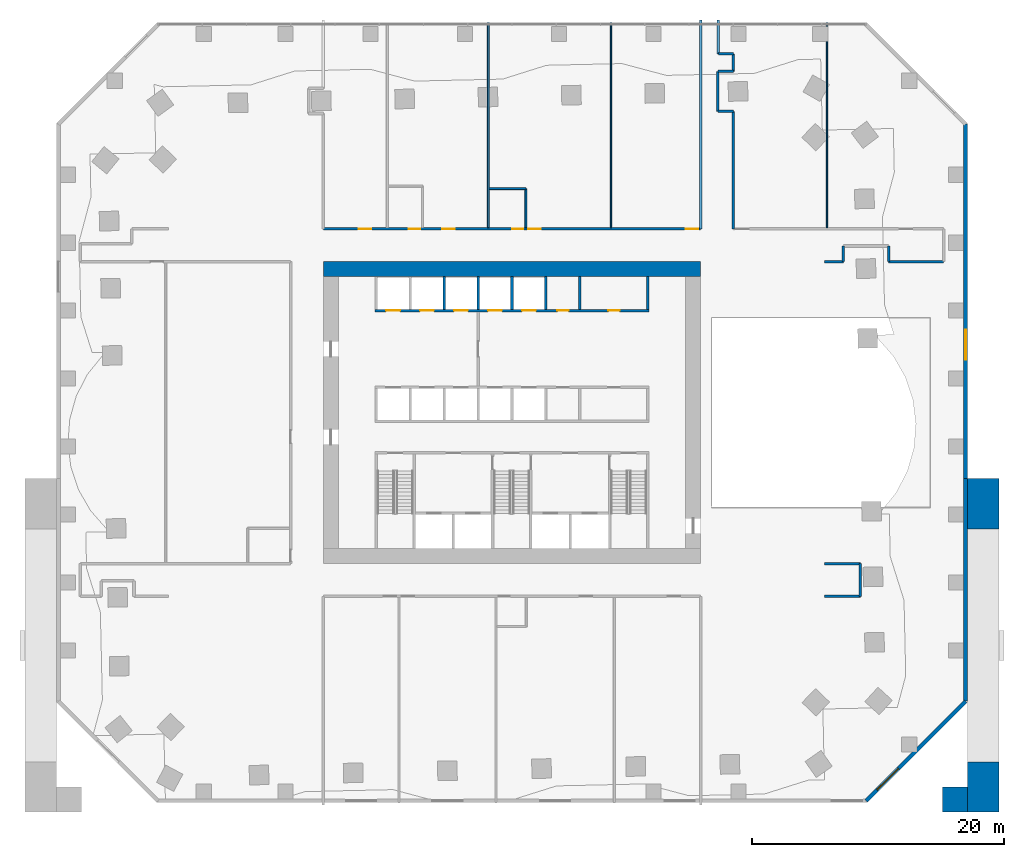
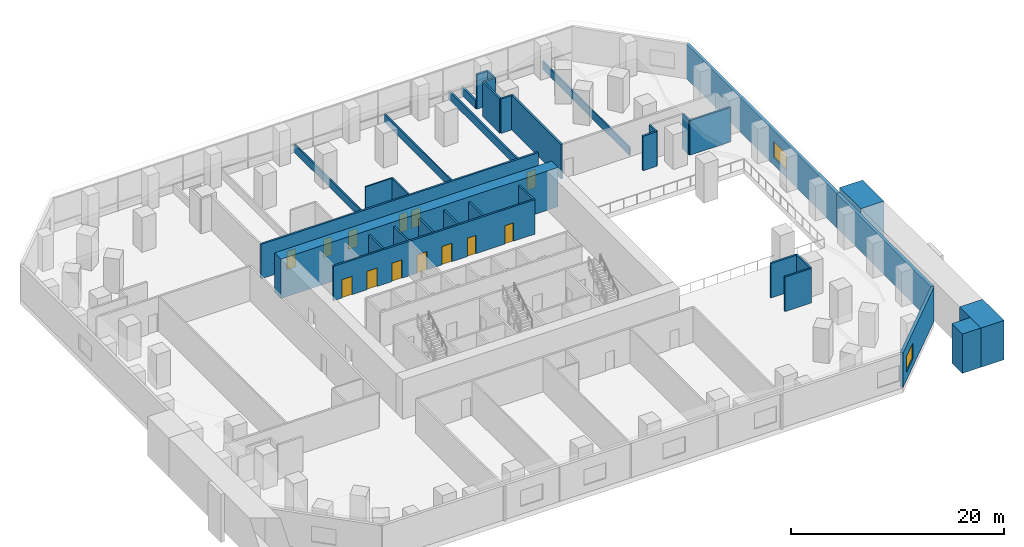
# One storey, part 8 of 12: 35 walls, 13 doors, 2 windows, 15 openings.
"""IFC4 building model written with IfcOpenShell, lengths in metres."""

from ifc_helpers import new_model, si_unit, direction, frame, frame_2d, origin, place, context, subcontext, project, spatial, rectangle, extrude, material, layer, layer_set, type_object, element, fill, save


model = new_model("IFC4")

# Units and contexts
model_context = context("Model", 3, precision=1e-05, world=origin(), true_north=direction((0.0, 1.0)))
body_context = subcontext(model_context, "Body", "Model", "MODEL_VIEW")
ifc_project = project(units=[si_unit("LENGTHUNIT", "METRE"), si_unit("AREAUNIT", "SQUARE_METRE"), si_unit("VOLUMEUNIT", "CUBIC_METRE"), si_unit("PLANEANGLEUNIT", "RADIAN"), si_unit("MASSUNIT", "GRAM", prefix="KILO")], contexts=[model_context])

# Site, building, storey
site_placement = place(None, origin())
site = spatial("IfcSite", under=ifc_project, at=site_placement, CompositionType="ELEMENT")
building_placement = place(site_placement, origin())
building = spatial("IfcBuilding", under=site, at=building_placement, Name="Mangrove Gate Tower", CompositionType="ELEMENT")
storey_placement = place(building_placement, frame((0.0, 0.0, 25.0)))
storey = spatial("IfcBuildingStorey", under=building, at=storey_placement, Name="L05", CompositionType="ELEMENT", Elevation=25.0)

# Walls
ifc_material_1 = material(Name="Concrete C32/40", Category="concrete")
ifc_layer_1 = layer(ifc_material_1, 0.199951171875)
ifc_layer_set_1 = layer_set([ifc_layer_1], Name="Core room wall 200 C32/40")
wall_type_1 = type_object("IfcWallType", Name="Core room wall 200 C32/40", PredefinedType="STANDARD", material=ifc_layer_set_1)
for number, where, z_axis, x_axis, name in (
    (1, (5.39990234375, 8.199951171875, 0.0), (0.0, 0.0, 1.0), (0.0, 1.0, 0.0), "WALL-L05-CORE-33"),
    (2, (10.800048828125, 8.199951171875, 0.0), (0.0, 0.0, 1.0), (0.0, 1.0, 0.0), "WALL-L05-CORE-34"),
):
    element("IfcWall", number, at=place(storey_placement, frame(where, z_axis=z_axis, x_axis=x_axis)), inside=storey, type_object=wall_type_1, Name=name, PredefinedType="STANDARD", context=body_context, shape_type="SweptSolid", body=[
        extrude(rectangle(XDim=2.60009765625, YDim=0.199951171875, at=frame_2d((1.300048828125, 0.0))), origin(), (0.0, 0.0, 1.0), 3.949951171875),
    ])

# Wall, openings, doors
ifc_material_2 = material(Name="Concrete C70/85", Category="concrete")
ifc_layer_2 = layer(ifc_material_2, 0.199951171875)
ifc_layer_set_2 = layer_set([ifc_layer_2], Name="Core shaft wall 200 C70/85")
wall_type_2 = type_object("IfcWallType", Name="Core shaft wall 200 C70/85", PredefinedType="SHEAR", material=ifc_layer_set_2)
wall_1_placement = place(storey_placement, frame((-10.89990234375, 8.10009765625, 0.0), z_axis=(0.0, 0.0, 1.0), x_axis=(1.0, 0.0, 0.0)))
wall_1 = element("IfcWall", 3, at=wall_1_placement, inside=storey, type_object=wall_type_2, Name="WALL-L05-CORE-8", PredefinedType="SHEAR", context=body_context, shape_type="SweptSolid", body=[
    extrude(rectangle(XDim=21.7998046875, YDim=0.199951171875, at=frame_2d((10.89990234375, 0.0))), origin(), (0.0, 0.0, 1.0), 3.949951171875),
])
opening_1_placement = place(wall_1_placement, frame((0.89990234375, 0.0, 0.0)))
opening_1 = element("IfcOpeningElement", 4, at=opening_1_placement, cuts=wall_1, Name="Opening LD", PredefinedType="OPENING", context=body_context, shape_type="SweptSolid", body=[
    extrude(rectangle(XDim=1.10009765625, YDim=2.10009765625, at=frame_2d((0.550048828125, 1.050048828125))), frame((0.0, 0.10986328125, 0.0), z_axis=(0.0, -1.0, 0.0), x_axis=(1.0, 0.0, 0.0)), (0.0, 0.0, 1.0), 0.219970703125),
])
opening_2_placement = place(wall_1_placement, frame((3.60009765625, 0.0, 0.0)))
opening_2 = element("IfcOpeningElement", 5, at=opening_2_placement, cuts=wall_1, Name="Opening LD", PredefinedType="OPENING", context=body_context, shape_type="SweptSolid", body=[
    extrude(rectangle(XDim=1.10009765625, YDim=2.10009765625, at=frame_2d((0.550048828125, 1.050048828125))), frame((0.0, 0.10986328125, 0.0), z_axis=(0.0, -1.0, 0.0), x_axis=(1.0, 0.0, 0.0)), (0.0, 0.0, 1.0), 0.219970703125),
])
opening_3_placement = place(wall_1_placement, frame((6.300048828125, 0.0, 0.0)))
opening_3 = element("IfcOpeningElement", 6, at=opening_3_placement, cuts=wall_1, Name="Opening LD", PredefinedType="OPENING", context=body_context, shape_type="SweptSolid", body=[
    extrude(rectangle(XDim=1.10009765625, YDim=2.10009765625, at=frame_2d((0.550048828125, 1.050048828125))), frame((0.0, 0.10986328125, 0.0), z_axis=(0.0, -1.0, 0.0), x_axis=(1.0, 0.0, 0.0)), (0.0, 0.0, 1.0), 0.219970703125),
])
opening_4_placement = place(wall_1_placement, frame((9.0, 0.0, 0.0)))
opening_4 = element("IfcOpeningElement", 7, at=opening_4_placement, cuts=wall_1, Name="Opening LD", PredefinedType="OPENING", context=body_context, shape_type="SweptSolid", body=[
    extrude(rectangle(XDim=1.10009765625, YDim=2.10009765625, at=frame_2d((0.550048828125, 1.050048828125))), frame((0.0, 0.10986328125, 0.0), z_axis=(0.0, -1.0, 0.0), x_axis=(1.0, 0.0, 0.0)), (0.0, 0.0, 1.0), 0.219970703125),
])
opening_5_placement = place(wall_1_placement, frame((11.699951171875, 0.0, 0.0)))
opening_5 = element("IfcOpeningElement", 8, at=opening_5_placement, cuts=wall_1, Name="Opening LD", PredefinedType="OPENING", context=body_context, shape_type="SweptSolid", body=[
    extrude(rectangle(XDim=1.10009765625, YDim=2.10009765625, at=frame_2d((0.550048828125, 1.050048828125))), frame((0.0, 0.10986328125, 0.0), z_axis=(0.0, -1.0, 0.0), x_axis=(1.0, 0.0, 0.0)), (0.0, 0.0, 1.0), 0.219970703125),
])
opening_6_placement = place(wall_1_placement, frame((14.5, 0.0, 0.0)))
opening_6 = element("IfcOpeningElement", 9, at=opening_6_placement, cuts=wall_1, Name="Opening KD", PredefinedType="OPENING", context=body_context, shape_type="SweptSolid", body=[
    extrude(rectangle(XDim=0.89990234375, YDim=2.10009765625, at=frame_2d((0.449951171875, 1.050048828125))), frame((0.0, 0.10986328125, 0.0), z_axis=(0.0, -1.0, 0.0), x_axis=(1.0, 0.0, 0.0)), (0.0, 0.0, 1.0), 0.219970703125),
])
opening_7_placement = place(wall_1_placement, frame((18.550048828125, 0.0, 0.0)))
opening_7 = element("IfcOpeningElement", 10, at=opening_7_placement, cuts=wall_1, Name="Opening RD", PredefinedType="OPENING", context=body_context, shape_type="SweptSolid", body=[
    extrude(rectangle(XDim=0.89990234375, YDim=2.10009765625, at=frame_2d((0.449951171875, 1.050048828125))), frame((0.0, 0.10986328125, 0.0), z_axis=(0.0, -1.0, 0.0), x_axis=(1.0, 0.0, 0.0)), (0.0, 0.0, 1.0), 0.219970703125),
])
ifc_material_3 = material(Name="Fire-rated steel door set", Category="steel")
door_type_1 = type_object("IfcDoorType", Name="Core room door FD30S 900x2100", OperationType="SINGLE_SWING_RIGHT", PredefinedType="DOOR", material=ifc_material_3)
door_1_placement = place(opening_6_placement, origin())
door_1 = element("IfcDoor", 11, at=door_1_placement, inside=storey, type_object=door_type_1, Name="Core room door Linen store", OperationType="SINGLE_SWING_RIGHT", OverallHeight=2.10009765625, OverallWidth=0.89990234375, PredefinedType="DOOR", context=body_context, shape_type="SweptSolid", body=[
    extrude(rectangle(XDim=0.89990234375, YDim=2.10009765625, at=frame_2d((0.449951171875, 1.050048828125))), frame((0.0, 0.02490234375, 0.0), z_axis=(0.0, -1.0, 0.0), x_axis=(1.0, 0.0, 0.0)), (0.0, 0.0, 1.0), 0.050048828125),
])
fill(opening_6, door_1)
ifc_material_4 = material(Name="Stainless steel 316", Category="steel")
door_type_2 = type_object("IfcDoorType", Name="Lift landing door 1100x2100", OperationType="SLIDING_TO_LEFT", PredefinedType="DOOR", material=ifc_material_4)
door_2_placement = place(opening_1_placement, origin())
door_2 = element("IfcDoor", 12, at=door_2_placement, inside=storey, type_object=door_type_2, Name="Landing door LD P06", OperationType="SLIDING_TO_LEFT", OverallHeight=2.10009765625, OverallWidth=1.10009765625, PredefinedType="DOOR", context=body_context, shape_type="SweptSolid", body=[
    extrude(rectangle(XDim=1.10009765625, YDim=2.10009765625, at=frame_2d((0.550048828125, 1.050048828125))), frame((0.0, 0.02490234375, 0.0), z_axis=(0.0, -1.0, 0.0), x_axis=(1.0, 0.0, 0.0)), (0.0, 0.0, 1.0), 0.050048828125),
])
fill(opening_1, door_2)
door_3_placement = place(opening_2_placement, origin())
door_3 = element("IfcDoor", 13, at=door_3_placement, inside=storey, type_object=door_type_2, Name="Landing door LD P07", OperationType="SLIDING_TO_LEFT", OverallHeight=2.10009765625, OverallWidth=1.10009765625, PredefinedType="DOOR", context=body_context, shape_type="SweptSolid", body=[
    extrude(rectangle(XDim=1.10009765625, YDim=2.10009765625, at=frame_2d((0.550048828125, 1.050048828125))), frame((0.0, 0.02490234375, 0.0), z_axis=(0.0, -1.0, 0.0), x_axis=(1.0, 0.0, 0.0)), (0.0, 0.0, 1.0), 0.050048828125),
])
fill(opening_2, door_3)
door_4_placement = place(opening_3_placement, origin())
door_4 = element("IfcDoor", 14, at=door_4_placement, inside=storey, type_object=door_type_2, Name="Landing door LD P08", OperationType="SLIDING_TO_LEFT", OverallHeight=2.10009765625, OverallWidth=1.10009765625, PredefinedType="DOOR", context=body_context, shape_type="SweptSolid", body=[
    extrude(rectangle(XDim=1.10009765625, YDim=2.10009765625, at=frame_2d((0.550048828125, 1.050048828125))), frame((0.0, 0.02490234375, 0.0), z_axis=(0.0, -1.0, 0.0), x_axis=(1.0, 0.0, 0.0)), (0.0, 0.0, 1.0), 0.050048828125),
])
fill(opening_3, door_4)
door_5_placement = place(opening_4_placement, origin())
door_5 = element("IfcDoor", 15, at=door_5_placement, inside=storey, type_object=door_type_2, Name="Landing door LD P09", OperationType="SLIDING_TO_LEFT", OverallHeight=2.10009765625, OverallWidth=1.10009765625, PredefinedType="DOOR", context=body_context, shape_type="SweptSolid", body=[
    extrude(rectangle(XDim=1.10009765625, YDim=2.10009765625, at=frame_2d((0.550048828125, 1.050048828125))), frame((0.0, 0.02490234375, 0.0), z_axis=(0.0, -1.0, 0.0), x_axis=(1.0, 0.0, 0.0)), (0.0, 0.0, 1.0), 0.050048828125),
])
fill(opening_4, door_5)
door_6_placement = place(opening_5_placement, origin())
door_6 = element("IfcDoor", 16, at=door_6_placement, inside=storey, type_object=door_type_2, Name="Landing door LD P10", OperationType="SLIDING_TO_LEFT", OverallHeight=2.10009765625, OverallWidth=1.10009765625, PredefinedType="DOOR", context=body_context, shape_type="SweptSolid", body=[
    extrude(rectangle(XDim=1.10009765625, YDim=2.10009765625, at=frame_2d((0.550048828125, 1.050048828125))), frame((0.0, 0.02490234375, 0.0), z_axis=(0.0, -1.0, 0.0), x_axis=(1.0, 0.0, 0.0)), (0.0, 0.0, 1.0), 0.050048828125),
])
fill(opening_5, door_6)
ifc_material_5 = material(Name="Fire-rated steel door set", Category="steel")
door_type_3 = type_object("IfcDoorType", Name="Riser door FD30S 900x2100", OperationType="SINGLE_SWING_LEFT", PredefinedType="DOOR", material=ifc_material_5)
door_7_placement = place(opening_7_placement, origin())
door_7 = element("IfcDoor", 17, at=door_7_placement, inside=storey, type_object=door_type_3, Name="Riser door Switch room", OperationType="SINGLE_SWING_LEFT", OverallHeight=2.10009765625, OverallWidth=0.89990234375, PredefinedType="DOOR", context=body_context, shape_type="SweptSolid", body=[
    extrude(rectangle(XDim=0.89990234375, YDim=2.10009765625, at=frame_2d((0.449951171875, 1.050048828125))), frame((0.0, 0.02490234375, 0.0), z_axis=(0.0, -1.0, 0.0), x_axis=(1.0, 0.0, 0.0)), (0.0, 0.0, 1.0), 0.050048828125),
])
fill(opening_7, door_7)

# Walls
for number, where, z_axis, x_axis, name in (
    (18, (-5.39990234375, 8.199951171875, 0.0), (0.0, 0.0, 1.0), (0.0, 1.0, 0.0), "WALL-L05-CORE-29"),
    (19, (-2.699951171875, 8.199951171875, 0.0), (0.0, 0.0, 1.0), (0.0, 1.0, 0.0), "WALL-L05-CORE-30"),
    (20, (0.0, 8.199951171875, 0.0), (0.0, 0.0, 1.0), (0.0, 1.0, 0.0), "WALL-L05-CORE-31"),
    (21, (2.699951171875, 8.199951171875, 0.0), (0.0, 0.0, 1.0), (0.0, 1.0, 0.0), "WALL-L05-CORE-32"),
):
    element("IfcWall", number, at=place(storey_placement, frame(where, z_axis=z_axis, x_axis=x_axis)), inside=storey, type_object=wall_type_2, Name=name, PredefinedType="SHEAR", context=body_context, shape_type="SweptSolid", body=[
        extrude(rectangle(XDim=2.60009765625, YDim=0.199951171875, at=frame_2d((1.300048828125, 0.0))), origin(), (0.0, 0.0, 1.0), 3.949951171875),
    ])
ifc_material_6 = material(Name="Concrete C70/85", Category="concrete")
ifc_layer_3 = layer(ifc_material_6, 1.199951171875)
ifc_layer_set_3 = layer_set([ifc_layer_3], Name="Core wall 1200 C70/85")
wall_type_3 = type_object("IfcWallType", Name="Core wall 1200 C70/85", PredefinedType="SHEAR", material=ifc_layer_set_3)
wall_2_placement = place(storey_placement, frame((-15.0, 11.39990234375, 0.0), z_axis=(0.0, 0.0, 1.0), x_axis=(1.0, 0.0, 0.0)))
element("IfcWall", 22, at=wall_2_placement, inside=storey, type_object=wall_type_3, Name="WALL-L05-CORE-2", PredefinedType="SHEAR", context=body_context, shape_type="SweptSolid", body=[
    extrude(rectangle(XDim=30.0, YDim=1.199951171875, at=frame_2d((15.0, 0.0))), origin(), (0.0, 0.0, 1.0), 4.5),
])
ifc_material_7 = material(Name="Gypsum board on steel stud, EI 60", Category="steel")
ifc_layer_4 = layer(ifc_material_7, 0.199951171875)
ifc_layer_set_4 = layer_set([ifc_layer_4], Name="Corridor wall EI 60")
wall_type_4 = type_object("IfcWallType", Name="Corridor wall EI 60", PredefinedType="PARTITIONING", material=ifc_layer_set_4)
wall_3_placement = place(storey_placement, frame((24.825927734375, -14.60009765625, 0.0), z_axis=(0.0, 0.0, 1.0), x_axis=(1.0, 0.0, 0.0)))
element("IfcWall", 23, at=wall_3_placement, inside=storey, type_object=wall_type_4, Name="WALL-L05-014", PredefinedType="PARTITIONING", context=body_context, shape_type="SweptSolid", body=[
    extrude(rectangle(XDim=2.864990234375, YDim=0.199951171875, at=frame_2d((1.4326171875, 0.0))), origin(), (0.0, 0.0, 1.0), 3.949951171875),
])
wall_4_placement = place(storey_placement, frame((27.68994140625, -14.60009765625, 0.0), z_axis=(0.0, 0.0, 1.0), x_axis=(0.0, 1.0, 0.0)))
element("IfcWall", 24, at=wall_4_placement, inside=storey, type_object=wall_type_4, Name="WALL-L05-015", PredefinedType="PARTITIONING", context=body_context, shape_type="SweptSolid", body=[
    extrude(rectangle(XDim=2.60009765625, YDim=0.199951171875, at=frame_2d((1.300048828125, 0.0))), origin(), (0.0, 0.0, 1.0), 3.949951171875),
])
wall_5_placement = place(storey_placement, frame((24.825927734375, -12.0, 0.0), z_axis=(0.0, 0.0, 1.0), x_axis=(1.0, 0.0, 0.0)))
element("IfcWall", 25, at=wall_5_placement, inside=storey, type_object=wall_type_4, Name="WALL-L05-021", PredefinedType="PARTITIONING", context=body_context, shape_type="SweptSolid", body=[
    extrude(rectangle(XDim=2.864990234375, YDim=0.199951171875, at=frame_2d((1.4326171875, 0.0))), origin(), (0.0, 0.0, 1.0), 3.949951171875),
])
wall_6_placement = place(storey_placement, frame((24.825927734375, 12.0, 0.0), z_axis=(0.0, 0.0, 1.0), x_axis=(1.0, 0.0, 0.0)))
element("IfcWall", 26, at=wall_6_placement, inside=storey, type_object=wall_type_4, Name="WALL-L05-025", PredefinedType="PARTITIONING", context=body_context, shape_type="SweptSolid", body=[
    extrude(rectangle(XDim=1.509033203125, YDim=0.199951171875, at=frame_2d((0.75439453125, 0.0))), origin(), (0.0, 0.0, 1.0), 3.949951171875),
])
for number, where, z_axis, x_axis, name in (
    (27, (26.340087890625, 12.0, 0.0), (0.0, 0.0, 1.0), (0.0, 1.0, 0.0), "WALL-L05-026"),
    (28, (29.929931640625, 12.0, 0.0), (0.0, 0.0, 1.0), (0.0, 1.0, 0.0), "WALL-L05-027"),
):
    element("IfcWall", number, at=place(storey_placement, frame(where, z_axis=z_axis, x_axis=x_axis)), inside=storey, type_object=wall_type_4, Name=name, PredefinedType="PARTITIONING", context=body_context, shape_type="SweptSolid", body=[
        extrude(rectangle(XDim=1.243896484375, YDim=0.199951171875, at=frame_2d((0.6220703125, 0.0))), origin(), (0.0, 0.0, 1.0), 3.949951171875),
    ])
wall_7_placement = place(storey_placement, frame((29.93505859375, 12.0, 0.0), z_axis=(0.0, 0.0, 1.0), x_axis=(1.0, 0.0, 0.0)))
element("IfcWall", 29, at=wall_7_placement, inside=storey, type_object=wall_type_4, Name="WALL-L05-028", PredefinedType="PARTITIONING", context=body_context, shape_type="SweptSolid", body=[
    extrude(rectangle(XDim=4.364990234375, YDim=0.199951171875, at=frame_2d((2.1826171875, 0.0))), origin(), (0.0, 0.0, 1.0), 3.949951171875),
])

# Wall, openings, doors
wall_8_placement = place(storey_placement, frame((-15.0, 14.60009765625, 0.0), z_axis=(0.0, 0.0, 1.0), x_axis=(1.0, 0.0, 0.0)))
wall_8 = element("IfcWall", 30, at=wall_8_placement, inside=storey, type_object=wall_type_4, Name="WALL-L05-034", PredefinedType="PARTITIONING", context=body_context, shape_type="SweptSolid", body=[
    extrude(rectangle(XDim=30.0, YDim=0.199951171875, at=frame_2d((15.0, 0.0))), origin(), (0.0, 0.0, 1.0), 3.949951171875),
])
opening_8_placement = place(wall_8_placement, frame((2.830078125, 0.0, 0.0)))
opening_8 = element("IfcOpeningElement", 31, at=opening_8_placement, cuts=wall_8, Name="Opening AD", PredefinedType="OPENING", context=body_context, shape_type="SweptSolid", body=[
    extrude(rectangle(XDim=1.0, YDim=2.10009765625, at=frame_2d((0.5, 1.050048828125))), frame((0.0, 0.10986328125, 0.0), z_axis=(0.0, -1.0, 0.0), x_axis=(1.0, 0.0, 0.0)), (0.0, 0.0, 1.0), 0.219970703125),
])
opening_9_placement = place(wall_8_placement, frame((9.468017578125, 0.0, 0.0)))
opening_9 = element("IfcOpeningElement", 32, at=opening_9_placement, cuts=wall_8, Name="Opening AD", PredefinedType="OPENING", context=body_context, shape_type="SweptSolid", body=[
    extrude(rectangle(XDim=1.0, YDim=2.10009765625, at=frame_2d((0.5, 1.050048828125))), frame((0.0, 0.10986328125, 0.0), z_axis=(0.0, -1.0, 0.0), x_axis=(1.0, 0.0, 0.0)), (0.0, 0.0, 1.0), 0.219970703125),
])
opening_10_placement = place(wall_8_placement, frame((6.7900390625, 0.0, 0.0)))
opening_10 = element("IfcOpeningElement", 33, at=opening_10_placement, cuts=wall_8, Name="Opening SD", PredefinedType="OPENING", context=body_context, shape_type="SweptSolid", body=[
    extrude(rectangle(XDim=0.89990234375, YDim=2.10009765625, at=frame_2d((0.449951171875, 1.050048828125))), frame((0.0, 0.10986328125, 0.0), z_axis=(0.0, -1.0, 0.0), x_axis=(1.0, 0.0, 0.0)), (0.0, 0.0, 1.0), 0.219970703125),
])
opening_11_placement = place(wall_8_placement, frame((16.300048828125, 0.0, 0.0)))
opening_11 = element("IfcOpeningElement", 34, at=opening_11_placement, cuts=wall_8, Name="Opening AD", PredefinedType="OPENING", context=body_context, shape_type="SweptSolid", body=[
    extrude(rectangle(XDim=1.0, YDim=2.10009765625, at=frame_2d((0.5, 1.050048828125))), frame((0.0, 0.10986328125, 0.0), z_axis=(0.0, -1.0, 0.0), x_axis=(1.0, 0.0, 0.0)), (0.0, 0.0, 1.0), 0.219970703125),
])
opening_12_placement = place(wall_8_placement, frame((15.0, 0.0, 0.0)))
opening_12 = element("IfcOpeningElement", 35, at=opening_12_placement, cuts=wall_8, Name="Opening SD", PredefinedType="OPENING", context=body_context, shape_type="SweptSolid", body=[
    extrude(rectangle(XDim=0.89990234375, YDim=2.10009765625, at=frame_2d((0.449951171875, 1.050048828125))), frame((0.0, 0.10986328125, 0.0), z_axis=(0.0, -1.0, 0.0), x_axis=(1.0, 0.0, 0.0)), (0.0, 0.0, 1.0), 0.219970703125),
])
opening_13_placement = place(wall_8_placement, frame((28.800048828125, 0.0, 0.0)))
opening_13 = element("IfcOpeningElement", 36, at=opening_13_placement, cuts=wall_8, Name="Opening AD", PredefinedType="OPENING", context=body_context, shape_type="SweptSolid", body=[
    extrude(rectangle(XDim=1.0, YDim=2.10009765625, at=frame_2d((0.5, 1.050048828125))), frame((0.0, 0.10986328125, 0.0), z_axis=(0.0, -1.0, 0.0), x_axis=(1.0, 0.0, 0.0)), (0.0, 0.0, 1.0), 0.219970703125),
])
ifc_material_8 = material(Name="Timber door leaf", Category="wood")
door_type_4 = type_object("IfcDoorType", Name="Amenity door 1000", OperationType="SINGLE_SWING_LEFT", PredefinedType="DOOR", material=ifc_material_8)
door_8_placement = place(opening_8_placement, origin())
door_8 = element("IfcDoor", 37, at=door_8_placement, inside=storey, type_object=door_type_4, Name="DOOR-L05-POD-08", OperationType="SINGLE_SWING_RIGHT", OverallHeight=2.10009765625, OverallWidth=1.0, PredefinedType="DOOR", context=body_context, shape_type="SweptSolid", body=[
    extrude(rectangle(XDim=1.0, YDim=2.10009765625, at=frame_2d((0.5, 1.050048828125))), frame((0.0, 0.02490234375, 0.0), z_axis=(0.0, -1.0, 0.0), x_axis=(1.0, 0.0, 0.0)), (0.0, 0.0, 1.0), 0.050048828125),
])
fill(opening_8, door_8)
door_9_placement = place(opening_9_placement, origin())
door_9 = element("IfcDoor", 38, at=door_9_placement, inside=storey, type_object=door_type_4, Name="DOOR-L05-POD-09", OperationType="SINGLE_SWING_LEFT", OverallHeight=2.10009765625, OverallWidth=1.0, PredefinedType="DOOR", context=body_context, shape_type="SweptSolid", body=[
    extrude(rectangle(XDim=1.0, YDim=2.10009765625, at=frame_2d((0.5, 1.050048828125))), frame((0.0, 0.02490234375, 0.0), z_axis=(0.0, -1.0, 0.0), x_axis=(1.0, 0.0, 0.0)), (0.0, 0.0, 1.0), 0.050048828125),
])
fill(opening_9, door_9)
door_10_placement = place(opening_11_placement, origin())
door_10 = element("IfcDoor", 39, at=door_10_placement, inside=storey, type_object=door_type_4, Name="DOOR-L05-POD-10", OperationType="SINGLE_SWING_RIGHT", OverallHeight=2.10009765625, OverallWidth=1.0, PredefinedType="DOOR", context=body_context, shape_type="SweptSolid", body=[
    extrude(rectangle(XDim=1.0, YDim=2.10009765625, at=frame_2d((0.5, 1.050048828125))), frame((0.0, 0.02490234375, 0.0), z_axis=(0.0, -1.0, 0.0), x_axis=(1.0, 0.0, 0.0)), (0.0, 0.0, 1.0), 0.050048828125),
])
fill(opening_11, door_10)
door_11_placement = place(opening_13_placement, origin())
door_11 = element("IfcDoor", 40, at=door_11_placement, inside=storey, type_object=door_type_4, Name="DOOR-L05-POD-11", OperationType="SINGLE_SWING_LEFT", OverallHeight=2.10009765625, OverallWidth=1.0, PredefinedType="DOOR", context=body_context, shape_type="SweptSolid", body=[
    extrude(rectangle(XDim=1.0, YDim=2.10009765625, at=frame_2d((0.5, 1.050048828125))), frame((0.0, 0.02490234375, 0.0), z_axis=(0.0, -1.0, 0.0), x_axis=(1.0, 0.0, 0.0)), (0.0, 0.0, 1.0), 0.050048828125),
])
fill(opening_13, door_11)
ifc_material_9 = material(Name="Timber door leaf", Category="wood")
door_type_5 = type_object("IfcDoorType", Name="Service room door 900", OperationType="SINGLE_SWING_LEFT", PredefinedType="DOOR", material=ifc_material_9)
door_12_placement = place(opening_10_placement, origin())
door_12 = element("IfcDoor", 41, at=door_12_placement, inside=storey, type_object=door_type_5, Name="DOOR-L05-PSV-09", OperationType="SINGLE_SWING_LEFT", OverallHeight=2.10009765625, OverallWidth=0.89990234375, PredefinedType="DOOR", context=body_context, shape_type="SweptSolid", body=[
    extrude(rectangle(XDim=0.89990234375, YDim=2.10009765625, at=frame_2d((0.449951171875, 1.050048828125))), frame((0.0, 0.02490234375, 0.0), z_axis=(0.0, -1.0, 0.0), x_axis=(1.0, 0.0, 0.0)), (0.0, 0.0, 1.0), 0.050048828125),
])
fill(opening_10, door_12)
door_13_placement = place(opening_12_placement, origin())
door_13 = element("IfcDoor", 42, at=door_13_placement, inside=storey, type_object=door_type_5, Name="DOOR-L05-PSV-10", OperationType="SINGLE_SWING_RIGHT", OverallHeight=2.10009765625, OverallWidth=0.89990234375, PredefinedType="DOOR", context=body_context, shape_type="SweptSolid", body=[
    extrude(rectangle(XDim=0.89990234375, YDim=2.10009765625, at=frame_2d((0.449951171875, 1.050048828125))), frame((0.0, 0.02490234375, 0.0), z_axis=(0.0, -1.0, 0.0), x_axis=(1.0, 0.0, 0.0)), (0.0, 0.0, 1.0), 0.050048828125),
])
fill(opening_12, door_13)

# Walls
wall_9_placement = place(storey_placement, frame((15.0, 14.60009765625, 0.0), z_axis=(0.0, 0.0, 1.0), x_axis=(0.0, 1.0, 0.0)))
element("IfcWall", 43, at=wall_9_placement, inside=storey, type_object=wall_type_4, Name="WALL-L05-041", PredefinedType="PARTITIONING", context=body_context, shape_type="SweptSolid", body=[
    extrude(rectangle(XDim=16.599853515625, YDim=0.199951171875, at=frame_2d((8.2998046875, 0.0))), origin(), (0.0, 0.0, 1.0), 0.93994140625),
])
wall_10_placement = place(storey_placement, frame((17.60009765625, 14.60009765625, 0.0), z_axis=(0.0, 0.0, 1.0), x_axis=(0.0, 1.0, 0.0)))
element("IfcWall", 44, at=wall_10_placement, inside=storey, type_object=wall_type_4, Name="WALL-L05-043", PredefinedType="PARTITIONING", context=body_context, shape_type="SweptSolid", body=[
    extrude(rectangle(XDim=9.325927734375, YDim=0.199951171875, at=frame_2d((4.6630859375, 0.0))), origin(), (0.0, 0.0, 1.0), 3.949951171875),
])
wall_11_placement = place(storey_placement, frame((16.360107421875, 23.926025390625, 0.0), z_axis=(0.0, 0.0, 1.0), x_axis=(0.0, 1.0, 0.0)))
element("IfcWall", 45, at=wall_11_placement, inside=storey, type_object=wall_type_4, Name="WALL-L05-049", PredefinedType="PARTITIONING", context=body_context, shape_type="SweptSolid", body=[
    extrude(rectangle(XDim=3.199951171875, YDim=0.199951171875, at=frame_2d((1.60009765625, 0.0))), origin(), (0.0, 0.0, 1.0), 3.949951171875),
])
wall_12_placement = place(storey_placement, frame((16.364013671875, 23.929931640625, 0.0), z_axis=(0.0, 0.0, 1.0), x_axis=(1.0, 0.0, 0.0)))
element("IfcWall", 46, at=wall_12_placement, inside=storey, type_object=wall_type_4, Name="WALL-L05-050", PredefinedType="PARTITIONING", context=body_context, shape_type="SweptSolid", body=[
    extrude(rectangle(XDim=1.236083984375, YDim=0.199951171875, at=frame_2d((0.6181640625, 0.0))), origin(), (0.0, 0.0, 1.0), 3.949951171875),
])
wall_13_placement = place(storey_placement, frame((17.60009765625, 27.1259765625, 0.0), z_axis=(0.0, 0.0, 1.0), x_axis=(0.0, 1.0, 0.0)))
element("IfcWall", 47, at=wall_13_placement, inside=storey, type_object=wall_type_4, Name="WALL-L05-053", PredefinedType="PARTITIONING", context=body_context, shape_type="SweptSolid", body=[
    extrude(rectangle(XDim=1.3740234375, YDim=0.199951171875, at=frame_2d((0.68701171875, 0.0))), origin(), (0.0, 0.0, 1.0), 3.949951171875),
])
wall_14_placement = place(storey_placement, frame((16.364013671875, 27.1298828125, 0.0), z_axis=(0.0, 0.0, 1.0), x_axis=(1.0, 0.0, 0.0)))
element("IfcWall", 48, at=wall_14_placement, inside=storey, type_object=wall_type_4, Name="WALL-L05-054", PredefinedType="PARTITIONING", context=body_context, shape_type="SweptSolid", body=[
    extrude(rectangle(XDim=1.236083984375, YDim=0.199951171875, at=frame_2d((0.6181640625, 0.0))), origin(), (0.0, 0.0, 1.0), 3.949951171875),
])
wall_15_placement = place(storey_placement, frame((16.39990234375, 28.5, 0.0), z_axis=(0.0, 0.0, 1.0), x_axis=(1.0, 0.0, 0.0)))
element("IfcWall", 49, at=wall_15_placement, inside=storey, type_object=wall_type_4, Name="WALL-L05-055", PredefinedType="PARTITIONING", context=body_context, shape_type="SweptSolid", body=[
    extrude(rectangle(XDim=1.2001953125, YDim=0.199951171875, at=frame_2d((0.60009765625, 0.0))), origin(), (0.0, 0.0, 1.0), 3.949951171875),
])
wall_16_placement = place(storey_placement, frame((16.39990234375, 28.5, 0.0), z_axis=(0.0, 0.0, 1.0), x_axis=(0.0, 1.0, 0.0)))
element("IfcWall", 50, at=wall_16_placement, inside=storey, type_object=wall_type_4, Name="WALL-L05-056", PredefinedType="PARTITIONING", context=body_context, shape_type="SweptSolid", body=[
    extrude(rectangle(XDim=2.699951171875, YDim=0.199951171875, at=frame_2d((1.35009765625, 0.0))), origin(), (0.0, 0.0, 1.0), 0.93994140625),
])

# Wall, opening, window
ifc_material_10 = material(Name="Limestone", Category="masonry")
ifc_layer_5 = layer(ifc_material_10, 0.0400390625, Name="Limestone cladding")
ifc_material_11 = material(Name="Ventilated air gap")
ifc_layer_6 = layer(ifc_material_11, 0.0400390625, Name="Ventilated cavity")
ifc_material_12 = material(Name="Mineral wool insulation")
ifc_layer_7 = layer(ifc_material_12, 0.06005859375, Name="Insulation")
ifc_material_13 = material(Name="Breather membrane")
ifc_layer_8 = layer(ifc_material_13, 0.001953125, Name="Breather membrane")
ifc_material_14 = material(Name="Concrete C20/25 blockwork", Category="masonry")
ifc_layer_9 = layer(ifc_material_14, 0.14990234375, Name="Blockwork backing wall")
ifc_material_15 = material(Name="Gypsum plaster")
ifc_layer_10 = layer(ifc_material_15, 0.008056640625, Name="Internal plaster")
ifc_layer_set_5 = layer_set([ifc_layer_5, ifc_layer_6, ifc_layer_7, ifc_layer_8, ifc_layer_9, ifc_layer_10], Name="External wall 300 limestone cladding")
wall_type_5 = type_object("IfcWallType", Name="External wall 300 limestone cladding", PredefinedType="SOLIDWALL", material=ifc_layer_set_5)
wall_17_placement = place(storey_placement, frame((28.137939453125, -30.85009765625, 0.0), z_axis=(0.0, 0.0, 1.0), x_axis=(0.707106781187, 0.707106781187, 0.0)))
wall_17 = element("IfcWall", 51, at=wall_17_placement, inside=storey, type_object=wall_type_5, Name="WALL-L05-S0", PredefinedType="SOLIDWALL", context=body_context, shape_type="SweptSolid", body=[
    extrude(rectangle(XDim=11.189453125, YDim=0.300048828125, at=frame_2d((5.5947265625, 0.0))), origin(), (0.0, 0.0, 1.0), 3.949951171875),
])
opening_14_placement = place(wall_17_placement, frame((1.241943359375, 0.0, 0.89990234375)))
opening_14 = element("IfcOpeningElement", 52, at=opening_14_placement, cuts=wall_17, Name="Opening W3", PredefinedType="OPENING", context=body_context, shape_type="SweptSolid", body=[
    extrude(rectangle(XDim=2.39990234375, YDim=1.800048828125, at=frame_2d((1.199951171875, 0.89990234375))), frame((0.0, 0.159912109375, 0.0), z_axis=(0.0, -1.0, 0.0), x_axis=(1.0, 0.0, 0.0)), (0.0, 0.0, 1.0), 0.320068359375),
])
ifc_material_16 = material(Name="Aluminium frame with double-glazed low-e glass", Category="aluminium")
window_type = type_object("IfcWindowType", Name="Podium window 2400x1800", PartitioningType="DOUBLE_PANEL_VERTICAL", PredefinedType="WINDOW", material=ifc_material_16)
window_1_placement = place(opening_14_placement, origin())
window_1 = element("IfcWindow", 53, at=window_1_placement, inside=storey, type_object=window_type, Name="WIN-L05-S0-1", OverallHeight=1.800048828125, OverallWidth=2.39990234375, PartitioningType="DOUBLE_PANEL_VERTICAL", PredefinedType="WINDOW", context=body_context, shape_type="SweptSolid", body=[
    extrude(rectangle(XDim=2.39990234375, YDim=1.800048828125, at=frame_2d((1.199951171875, 0.89990234375))), frame((0.0, 0.030029296875, 0.0), z_axis=(0.0, -1.0, 0.0), x_axis=(1.0, 0.0, 0.0)), (0.0, 0.0, 1.0), 0.06005859375),
])
fill(opening_14, window_1)

# Wall
wall_18_placement = place(storey_placement, frame((36.050048828125, -22.93798828125, 0.0), z_axis=(0.0, 0.0, 1.0), x_axis=(0.0, 1.0, 0.0)))
element("IfcWall", 54, at=wall_18_placement, inside=storey, type_object=wall_type_5, Name="WALL-L05-E3010", PredefinedType="SOLIDWALL", context=body_context, shape_type="SweptSolid", body=[
    extrude(rectangle(XDim=17.701904296875, YDim=0.300048828125, at=frame_2d((8.85107421875, 0.0))), origin(), (0.0, 0.0, 1.0), 3.949951171875),
])

# Wall, opening, window
wall_19_placement = place(storey_placement, frame((36.050048828125, -5.236083984375, 0.0), z_axis=(0.0, 0.0, 1.0), x_axis=(0.0, 1.0, 0.0)))
wall_19 = element("IfcWall", 55, at=wall_19_placement, inside=storey, type_object=wall_type_5, Name="WALL-L05-E1", PredefinedType="SOLIDWALL", context=body_context, shape_type="SweptSolid", body=[
    extrude(rectangle(XDim=28.174072265625, YDim=0.300048828125, at=frame_2d((14.0869140625, 0.0))), origin(), (0.0, 0.0, 1.0), 3.949951171875),
])
opening_15_placement = place(wall_19_placement, frame((9.43603515625, 0.0, 0.89990234375)))
opening_15 = element("IfcOpeningElement", 56, at=opening_15_placement, cuts=wall_19, Name="Opening W3", PredefinedType="OPENING", context=body_context, shape_type="SweptSolid", body=[
    extrude(rectangle(XDim=2.39990234375, YDim=1.800048828125, at=frame_2d((1.199951171875, 0.89990234375))), frame((0.0, 0.159912109375, 0.0), z_axis=(0.0, -1.0, 0.0), x_axis=(1.0, 0.0, 0.0)), (0.0, 0.0, 1.0), 0.320068359375),
])
window_2_placement = place(opening_15_placement, origin())
window_2 = element("IfcWindow", 57, at=window_2_placement, inside=storey, type_object=window_type, Name="WIN-L05-E1-1", OverallHeight=1.800048828125, OverallWidth=2.39990234375, PartitioningType="DOUBLE_PANEL_VERTICAL", PredefinedType="WINDOW", context=body_context, shape_type="SweptSolid", body=[
    extrude(rectangle(XDim=2.39990234375, YDim=1.800048828125, at=frame_2d((1.199951171875, 0.89990234375))), frame((0.0, 0.030029296875, 0.0), z_axis=(0.0, -1.0, 0.0), x_axis=(1.0, 0.0, 0.0)), (0.0, 0.0, 1.0), 0.06005859375),
])
fill(opening_15, window_2)

# Walls
ifc_material_17 = material(Name="Gypsum board on steel stud, EI 60", Category="steel")
ifc_layer_11 = layer(ifc_material_17, 0.14990234375)
ifc_layer_set_6 = layer_set([ifc_layer_11], Name="Party wall 150 EI 60")
wall_type_6 = type_object("IfcWallType", Name="Party wall 150 EI 60", PredefinedType="PARTITIONING", material=ifc_layer_set_6)
wall_20_placement = place(storey_placement, frame((-1.89990234375, 14.699951171875, 0.0), z_axis=(0.0, 0.0, 1.0), x_axis=(0.0, 1.0, 0.0)))
element("IfcWall", 58, at=wall_20_placement, inside=storey, type_object=wall_type_6, Name="WALL-L05-038", PredefinedType="PARTITIONING", context=body_context, shape_type="SweptSolid", body=[
    extrude(rectangle(XDim=16.300048828125, YDim=0.14990234375, at=frame_2d((8.14990234375, 0.0))), origin(), (0.0, 0.0, 1.0), 0.93994140625),
])
wall_21_placement = place(storey_placement, frame((1.10009765625, 14.699951171875, 0.0), z_axis=(0.0, 0.0, 1.0), x_axis=(0.0, 1.0, 0.0)))
element("IfcWall", 59, at=wall_21_placement, inside=storey, type_object=wall_type_6, Name="WALL-L05-039", PredefinedType="PARTITIONING", context=body_context, shape_type="SweptSolid", body=[
    extrude(rectangle(XDim=3.10009765625, YDim=0.14990234375, at=frame_2d((1.550048828125, 0.0))), origin(), (0.0, 0.0, 1.0), 3.949951171875),
])
for number, where, z_axis, x_axis, name in (
    (60, (7.8701171875, 14.699951171875, 0.0), (0.0, 0.0, 1.0), (0.0, 1.0, 0.0), "WALL-L05-040"),
    (61, (25.030029296875, 14.699951171875, 0.0), (0.0, 0.0, 1.0), (0.0, 1.0, 0.0), "WALL-L05-044"),
):
    element("IfcWall", number, at=place(storey_placement, frame(where, z_axis=z_axis, x_axis=x_axis)), inside=storey, type_object=wall_type_6, Name=name, PredefinedType="PARTITIONING", context=body_context, shape_type="SweptSolid", body=[
        extrude(rectangle(XDim=16.300048828125, YDim=0.14990234375, at=frame_2d((8.14990234375, 0.0))), origin(), (0.0, 0.0, 1.0), 0.93994140625),
    ])
wall_22_placement = place(storey_placement, frame((-1.824951171875, 17.800048828125, 0.0), z_axis=(0.0, 0.0, 1.0), x_axis=(1.0, 0.0, 0.0)))
element("IfcWall", 62, at=wall_22_placement, inside=storey, type_object=wall_type_6, Name="WALL-L05-045", PredefinedType="PARTITIONING", context=body_context, shape_type="SweptSolid", body=[
    extrude(rectangle(XDim=2.925048828125, YDim=0.14990234375, at=frame_2d((1.46240234375, 0.0))), origin(), (0.0, 0.0, 1.0), 3.949951171875),
])
ifc_layer_12 = layer(ifc_material_10, 0.06005859375, Name="Limestone cladding")
ifc_material_18 = material(Name="Concrete C40/50", Category="concrete")
ifc_layer_13 = layer(ifc_material_18, 2.340087890625, Name="Gate core wall")
ifc_layer_14 = layer(ifc_material_10, 0.10009765625, Name="Limestone reveal lining")
ifc_layer_set_7 = layer_set([ifc_layer_12, ifc_layer_13, ifc_layer_14], Name="Stone gate wall 2500")
wall_type_7 = type_object("IfcWallType", Name="Stone gate wall 2500", PredefinedType="STANDARD", material=ifc_layer_set_7)
for number, where, z_axis, x_axis, name in (
    (63, (37.449951171875, -31.75, 0.0), (0.0, 0.0, 1.0), (0.0, 1.0, 0.0), "ARCH PIER E 1"),
    (64, (37.449951171875, -9.25, 0.0), (0.0, 0.0, 1.0), (0.0, 1.0, 0.0), "ARCH PIER E 2"),
):
    element("IfcWall", number, at=place(storey_placement, frame(where, z_axis=z_axis, x_axis=x_axis)), inside=storey, type_object=wall_type_7, Name=name, PredefinedType="STANDARD", context=body_context, shape_type="SweptSolid", body=[
        extrude(rectangle(XDim=4.0, YDim=2.5, at=frame_2d((2.0, 0.0))), origin(), (0.0, 0.0, 1.0), 4.5),
    ])
wall_23_placement = place(storey_placement, frame((34.199951171875, -30.75, 0.0), z_axis=(0.0, 0.0, 1.0), x_axis=(1.0, 0.0, 0.0)))
element("IfcWall", 65, at=wall_23_placement, inside=storey, type_object=wall_type_7, Name="ARCH RETURN E", PredefinedType="STANDARD", context=body_context, shape_type="SweptSolid", body=[
    extrude(rectangle(XDim=2.0, YDim=2.0, at=frame_2d((1.0, 0.0))), origin(), (0.0, 0.0, 1.0), 4.5),
])

save(model, "model.ifc")
